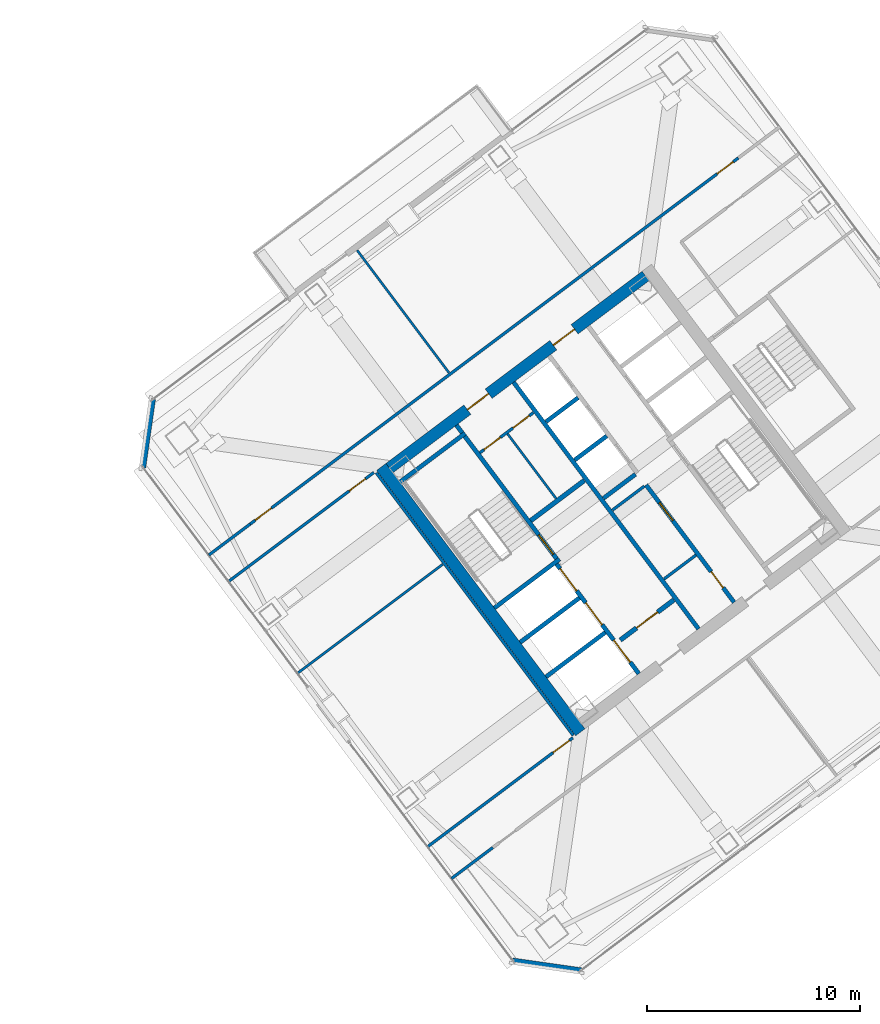
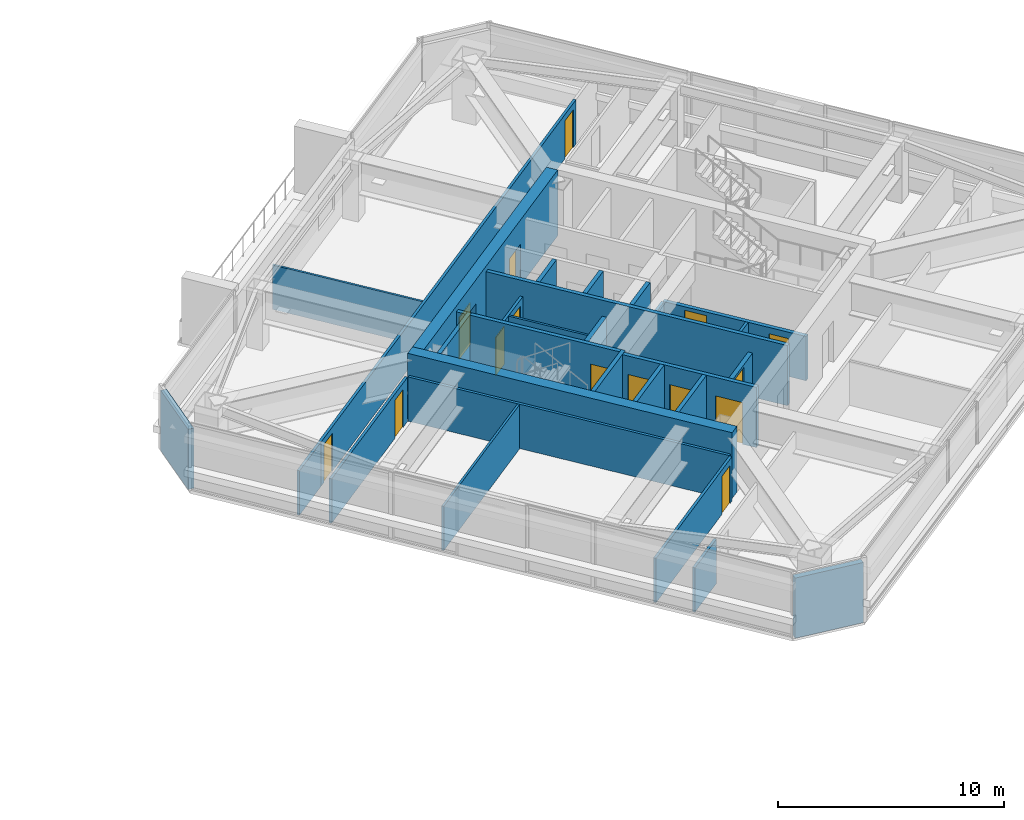
# One storey, part 34 of 42: 29 walls, 15 doors, 15 openings.
"""IFC4 building model written with IfcOpenShell, lengths in metres."""

from ifc_helpers import new_model, si_unit, direction, frame, frame_2d, origin, place, context, subcontext, project, spatial, rectangle, extrude, material, layer, layer_set, type_object, element, fill, save


model = new_model("IFC4")

# Units and contexts
model_context = context("Model", 3, precision=1e-05, world=origin(), true_north=direction((0.0, 1.0)))
body_context = subcontext(model_context, "Body", "Model", "MODEL_VIEW")
ifc_project = project(units=[si_unit("LENGTHUNIT", "METRE"), si_unit("AREAUNIT", "SQUARE_METRE"), si_unit("VOLUMEUNIT", "CUBIC_METRE"), si_unit("PLANEANGLEUNIT", "RADIAN"), si_unit("MASSUNIT", "GRAM", prefix="KILO")], contexts=[model_context])

# Site, building, storey
site_placement = place(None, origin())
site = spatial("IfcSite", under=ifc_project, at=site_placement, CompositionType="ELEMENT")
building_placement = place(site_placement, origin())
building = spatial("IfcBuilding", under=site, at=building_placement, Name="Tashvorn Skyway Center", CompositionType="ELEMENT")
storey_placement = place(building_placement, frame((0.0, 0.0, 196.050048828125)))
storey = spatial("IfcBuildingStorey", under=building, at=storey_placement, Name="L53", CompositionType="ELEMENT", Elevation=196.050048828125)

# Wall
ifc_material_1 = material(Name="Concrete C60/75", Category="concrete")
ifc_layer_1 = layer(ifc_material_1, 0.550048828125)
ifc_layer_set_1 = layer_set([ifc_layer_1], Name="Concrete C60/75")
wall_type_1 = type_object("IfcWallType", Name="WALL-CORE-550", PredefinedType="SHEAR", material=ifc_layer_set_1)
wall_1_placement = place(storey_placement, frame((112.43603515625, 21.076904296875, 0.0), z_axis=(0.0, 0.0, 1.0), x_axis=(-0.600005007985, 0.799996243986, 0.0)))
element("IfcWall", 1, at=wall_1_placement, inside=storey, type_object=wall_type_1, Name="Tower 2 L53 West Core Shear Wall", PredefinedType="SHEAR", context=body_context, shape_type="SweptSolid", body=[
    extrude(rectangle(XDim=15.60009765625, YDim=0.550048828125, at=frame_2d((7.800048828125, 0.0))), origin(), (0.0, 0.0, 1.0), 3.550048828125),
])

# Wall, openings, doors
wall_2_placement = place(storey_placement, frame((103.4609375, 33.501953125, 0.0), z_axis=(0.0, 0.0, 1.0), x_axis=(0.799998054672, 0.600002593761, 0.0)))
wall_2 = element("IfcWall", 2, at=wall_2_placement, inside=storey, type_object=wall_type_1, Name="Tower 2 L53 North Core Shear Wall", PredefinedType="SHEAR", context=body_context, shape_type="SweptSolid", body=[
    extrude(rectangle(XDim=15.06005859375, YDim=0.550048828125, at=frame_2d((7.530029296875, 0.0))), origin(), (0.0, 0.0, 1.0), 3.550048828125),
])
opening_1_placement = place(wall_2_placement, frame((4.580078125, 0.0, 0.0)))
opening_1 = element("IfcOpeningElement", 3, at=opening_1_placement, cuts=wall_2, Name="Opening D-FFL-1250", PredefinedType="OPENING", context=body_context, shape_type="SweptSolid", body=[
    extrude(rectangle(XDim=1.25, YDim=2.25, at=frame_2d((0.625, 1.125))), frame((0.0, 0.284912109375, 0.0), z_axis=(0.0, -1.0, 0.0), x_axis=(1.0, 0.0, 0.0)), (0.0, 0.0, 1.0), 0.570068359375),
])
opening_2_placement = place(wall_2_placement, frame((9.6298828125, 0.0, 0.0)))
opening_2 = element("IfcOpeningElement", 4, at=opening_2_placement, cuts=wall_2, Name="Opening D-FFL-1250", PredefinedType="OPENING", context=body_context, shape_type="SweptSolid", body=[
    extrude(rectangle(XDim=1.25, YDim=2.25, at=frame_2d((0.625, 1.125))), frame((0.0, 0.284912109375, 0.0), z_axis=(0.0, -1.0, 0.0), x_axis=(1.0, 0.0, 0.0)), (0.0, 0.0, 1.0), 0.570068359375),
])
ifc_material_2 = material(Name="Hollow galvanized steel fire door assembly", Category="steel")
door_type_1 = type_object("IfcDoorType", Name="DOOR-FFL-1250", OperationType="NOTDEFINED", PredefinedType="DOOR", material=ifc_material_2)
door_1_placement = place(opening_1_placement, origin())
door_1 = element("IfcDoor", 5, at=door_1_placement, inside=storey, type_object=door_type_1, Name="Tower 2 L53 Core North Service Lobby Door", OperationType="SINGLE_SWING_LEFT", OverallHeight=2.25, OverallWidth=1.25, PredefinedType="DOOR", context=body_context, shape_type="SweptSolid", body=[
    extrude(rectangle(XDim=1.25, YDim=2.25, at=frame_2d((0.625, 1.125))), frame((0.0, 0.02490234375, 0.0), z_axis=(0.0, -1.0, 0.0), x_axis=(1.0, 0.0, 0.0)), (0.0, 0.0, 1.0), 0.050048828125),
])
fill(opening_1, door_1)
door_2_placement = place(opening_2_placement, origin())
door_2 = element("IfcDoor", 6, at=door_2_placement, inside=storey, type_object=door_type_1, Name="Tower 2 L53 Core North Lift Lobby Door", OperationType="SINGLE_SWING_RIGHT", OverallHeight=2.25, OverallWidth=1.25, PredefinedType="DOOR", context=body_context, shape_type="SweptSolid", body=[
    extrude(rectangle(XDim=1.25, YDim=2.25, at=frame_2d((0.625, 1.125))), frame((0.0, 0.02490234375, 0.0), z_axis=(0.0, -1.0, 0.0), x_axis=(1.0, 0.0, 0.0)), (0.0, 0.0, 1.0), 0.050048828125),
])
fill(opening_2, door_2)

# Walls
ifc_material_3 = material(Name="Precast concrete C40/50", Category="concrete")
ifc_layer_2 = layer(ifc_material_3, 0.280029296875)
ifc_layer_set_2 = layer_set([ifc_layer_2], Name="Precast concrete C40/50")
wall_type_2 = type_object("IfcWallType", Name="WALL-EXT-280", PredefinedType="SOLIDWALL", material=ifc_layer_set_2)
for number, where, z_axis, x_axis, name in (
    (7, (112.47998046875, 9.860107421875, 0.0), (0.0, 0.0, 1.0), (-0.989950994782, 0.141410847992, 0.0), "Tower 2 L53 SW Precast Chamfer Wall"),
    (8, (91.860107421875, 33.52001953125, 0.0), (0.0, 0.0, 1.0), (0.141410847992, 0.989950994782, 0.0), "Tower 2 L53 NW Precast Chamfer Wall"),
):
    element("IfcWall", number, at=place(storey_placement, frame(where, z_axis=z_axis, x_axis=x_axis)), inside=storey, type_object=wall_type_2, Name=name, PredefinedType="SOLIDWALL", context=body_context, shape_type="SweptSolid", body=[
        extrude(rectangle(XDim=3.252685546875, YDim=0.280029296875, at=frame_2d((1.62646484375, 0.0))), origin(), (0.0, 0.0, 1.0), 3.25),
    ])
ifc_material_4 = material(Name="Concrete C40/50", Category="concrete")
ifc_layer_3 = layer(ifc_material_4, 0.219970703125)
ifc_layer_set_3 = layer_set([ifc_layer_3], Name="Concrete C40/50")
wall_type_3 = type_object("IfcWallType", Name="WALL-FFL-220", PredefinedType="SOLIDWALL", material=ifc_layer_set_3)
wall_3_placement = place(storey_placement, frame((110.10400390625, 31.028076171875, 0.0), z_axis=(0.0, 0.0, 1.0), x_axis=(0.800018601094, 0.59997519774, 0.0)))
element("IfcWall", 9, at=wall_3_placement, inside=storey, type_object=wall_type_3, Name="Tower 2 L53 Firefighting Lobby North Wall", PredefinedType="SOLIDWALL", context=body_context, shape_type="SweptSolid", body=[
    extrude(rectangle(XDim=3.14990234375, YDim=0.219970703125, at=frame_2d((1.574951171875, 0.0))), origin(), (0.0, 0.0, 1.0), 2.39306640625),
])

# Wall, opening, door
wall_4_placement = place(storey_placement, frame((114.31591796875, 25.412109375, 0.0), z_axis=(0.0, 0.0, 1.0), x_axis=(0.800018601094, 0.59997519774, 0.0)))
wall_4 = element("IfcWall", 10, at=wall_4_placement, inside=storey, type_object=wall_type_3, Name="Tower 2 L53 Firefighting Lobby South Wall", PredefinedType="SOLIDWALL", context=body_context, shape_type="SweptSolid", body=[
    extrude(rectangle(XDim=3.14990234375, YDim=0.219970703125, at=frame_2d((1.574951171875, 0.0))), origin(), (0.0, 0.0, 1.0), 2.39306640625),
])
opening_3_placement = place(wall_4_placement, frame((0.949951171875, 0.0, 0.0)))
opening_3 = element("IfcOpeningElement", 11, at=opening_3_placement, cuts=wall_4, Name="Opening D-FFL-1250", PredefinedType="OPENING", context=body_context, shape_type="SweptSolid", body=[
    extrude(rectangle(XDim=1.25, YDim=2.25, at=frame_2d((0.625, 1.125))), frame((0.0, 0.119873046875, 0.0), z_axis=(0.0, -1.0, 0.0), x_axis=(1.0, 0.0, 0.0)), (0.0, 0.0, 1.0), 0.239990234375),
])
door_3_placement = place(opening_3_placement, origin())
door_3 = element("IfcDoor", 12, at=door_3_placement, inside=storey, type_object=door_type_1, Name="Tower 2 L53 Firefighting Lobby Egress Door", OperationType="SINGLE_SWING_LEFT", OverallHeight=2.25, OverallWidth=1.25, PredefinedType="DOOR", context=body_context, shape_type="SweptSolid", body=[
    extrude(rectangle(XDim=1.25, YDim=2.25, at=frame_2d((0.625, 1.125))), frame((0.0, 0.02490234375, 0.0), z_axis=(0.0, -1.0, 0.0), x_axis=(1.0, 0.0, 0.0)), (0.0, 0.0, 1.0), 0.050048828125),
])
fill(opening_3, door_3)

# Walls
ifc_material_5 = material(Name="Gypsum board on cold-formed steel stud framing", Category="steel")
ifc_layer_4 = layer(ifc_material_5, 0.110107421875)
ifc_layer_set_4 = layer_set([ifc_layer_4], Name="Gypsum board on cold-formed steel stud framing")
wall_type_4 = type_object("IfcWallType", Name="WALL-PART-110", PredefinedType="PARTITIONING", material=ifc_layer_set_4)
wall_5_placement = place(storey_placement, frame((106.261962890625, 37.98388671875, 0.0), z_axis=(0.0, 0.0, 1.0), x_axis=(-0.600005425297, 0.799995930999, 0.0)))
element("IfcWall", 13, at=wall_5_placement, inside=storey, type_object=wall_type_4, Name="Tower 2 L53 North Suite Partition 1", PredefinedType="PARTITIONING", context=body_context, shape_type="SweptSolid", body=[
    extrude(rectangle(XDim=7.199951171875, YDim=0.110107421875, at=frame_2d((3.60009765625, 0.0))), origin(), (0.0, 0.0, 1.0), 2.39306640625),
])
wall_6_placement = place(storey_placement, frame((99.135986328125, 23.85205078125, 0.0), z_axis=(0.0, 0.0, 1.0), x_axis=(0.8, 0.6, 0.0)))
element("IfcWall", 14, at=wall_6_placement, inside=storey, type_object=wall_type_4, Name="Tower 2 L53 West Mid Partition", PredefinedType="PARTITIONING", context=body_context, shape_type="SweptSolid", body=[
    extrude(rectangle(XDim=8.5400390625, YDim=0.110107421875, at=frame_2d((4.27001953125, 0.0))), origin(), (0.0, 0.0, 1.0), 2.39306640625),
])

# Wall, openings, doors
ifc_layer_5 = layer(ifc_material_5, 0.135009765625)
ifc_layer_set_5 = layer_set([ifc_layer_5], Name="Gypsum board on cold-formed steel stud framing")
wall_type_5 = type_object("IfcWallType", Name="WALL-PART-135", PredefinedType="PARTITIONING", material=ifc_layer_set_5)
wall_7_placement = place(storey_placement, frame((96.909912109375, 30.8701171875, 0.0), z_axis=(0.0, 0.0, 1.0), x_axis=(0.800003062365, 0.599995916825, 0.0)))
wall_7 = element("IfcWall", 15, at=wall_7_placement, inside=storey, type_object=wall_type_5, Name="Tower 2 L53 North Suite Wall", PredefinedType="PARTITIONING", context=body_context, shape_type="SweptSolid", body=[
    extrude(rectangle(XDim=28.7001953125, YDim=0.135009765625, at=frame_2d((14.35009765625, 0.0))), origin(), (0.0, 0.0, 1.0), 2.39306640625),
])
opening_4_placement = place(wall_7_placement, frame((0.300048828125, 0.0, 0.0)))
opening_4 = element("IfcOpeningElement", 16, at=opening_4_placement, cuts=wall_7, Name="Opening D-INT-950", PredefinedType="OPENING", context=body_context, shape_type="SweptSolid", body=[
    extrude(rectangle(XDim=0.949951171875, YDim=2.050048828125, at=frame_2d((0.47509765625, 1.02490234375))), frame((0.0, 0.077392578125, 0.0), z_axis=(0.0, -1.0, 0.0), x_axis=(1.0, 0.0, 0.0)), (0.0, 0.0, 1.0), 0.155029296875),
])
opening_5_placement = place(wall_7_placement, frame((27.449951171875, 0.0, 0.0)))
opening_5 = element("IfcOpeningElement", 17, at=opening_5_placement, cuts=wall_7, Name="Opening D-INT-950", PredefinedType="OPENING", context=body_context, shape_type="SweptSolid", body=[
    extrude(rectangle(XDim=0.949951171875, YDim=2.050048828125, at=frame_2d((0.47509765625, 1.02490234375))), frame((0.0, 0.077392578125, 0.0), z_axis=(0.0, -1.0, 0.0), x_axis=(1.0, 0.0, 0.0)), (0.0, 0.0, 1.0), 0.155029296875),
])
ifc_material_6 = material(Name="Solid-core architectural oak veneer door")
door_type_2 = type_object("IfcDoorType", Name="DOOR-INT-950", OperationType="NOTDEFINED", PredefinedType="DOOR", material=ifc_material_6)
door_4_placement = place(opening_4_placement, origin())
door_4 = element("IfcDoor", 18, at=door_4_placement, inside=storey, type_object=door_type_2, Name="Tower 2 L53 Open Plan Office Door", OperationType="SINGLE_SWING_LEFT", OverallHeight=2.050048828125, OverallWidth=0.949951171875, PredefinedType="DOOR", context=body_context, shape_type="SweptSolid", body=[
    extrude(rectangle(XDim=0.949951171875, YDim=2.050048828125, at=frame_2d((0.47509765625, 1.02490234375))), frame((0.0, 0.02490234375, 0.0), z_axis=(0.0, -1.0, 0.0), x_axis=(1.0, 0.0, 0.0)), (0.0, 0.0, 1.0), 0.050048828125),
])
fill(opening_4, door_4)
door_5_placement = place(opening_5_placement, origin())
door_5 = element("IfcDoor", 19, at=door_5_placement, inside=storey, type_object=door_type_2, Name="Tower 2 L53 Open Plan Office Door", OperationType="SINGLE_SWING_RIGHT", OverallHeight=2.050048828125, OverallWidth=0.949951171875, PredefinedType="DOOR", context=body_context, shape_type="SweptSolid", body=[
    extrude(rectangle(XDim=0.949951171875, YDim=2.050048828125, at=frame_2d((0.47509765625, 1.02490234375))), frame((0.0, 0.02490234375, 0.0), z_axis=(0.0, -1.0, 0.0), x_axis=(1.0, 0.0, 0.0)), (0.0, 0.0, 1.0), 0.050048828125),
])
fill(opening_5, door_5)

# Walls
wall_8_placement = place(storey_placement, frame((94.966064453125, 29.412109375, 0.0), z_axis=(0.0, 0.0, 1.0), x_axis=(0.799975885537, 0.600032151272, 0.0)))
element("IfcWall", 20, at=wall_8_placement, inside=storey, type_object=wall_type_5, Name="Tower 2 L53 North-West Suite South Wall", PredefinedType="PARTITIONING", context=body_context, shape_type="SweptSolid", body=[
    extrude(rectangle(XDim=2.429931640625, YDim=0.135009765625, at=frame_2d((1.21484375, 0.0))), origin(), (0.0, 0.0, 1.0), 2.39306640625),
])
wall_9_placement = place(storey_placement, frame((106.3779296875, 14.196044921875, 0.0), z_axis=(0.0, 0.0, 1.0), x_axis=(0.800012055778, 0.599983925293, 0.0)))
element("IfcWall", 21, at=wall_9_placement, inside=storey, type_object=wall_type_5, Name="Tower 2 L53 South-West Suite North Wall", PredefinedType="PARTITIONING", context=body_context, shape_type="SweptSolid", body=[
    extrude(rectangle(XDim=2.43017578125, YDim=0.135009765625, at=frame_2d((1.215087890625, 0.0))), origin(), (0.0, 0.0, 1.0), 2.39306640625),
])
wall_10_placement = place(storey_placement, frame((112.10400390625, 20.927978515625, 0.0), z_axis=(0.0, 0.0, 1.0), x_axis=(-0.599994940075, 0.800003794918, 0.0)))
element("IfcWall", 22, at=wall_10_placement, inside=storey, type_object=wall_type_5, Name="Tower 2 L53 West Inner Suite Wall", PredefinedType="PARTITIONING", context=body_context, shape_type="SweptSolid", body=[
    extrude(rectangle(XDim=15.43994140625, YDim=0.135009765625, at=frame_2d((7.719970703125, 0.0))), origin(), (0.0, 0.0, 1.0), 2.39306640625),
])

# Wall, opening, door
wall_11_placement = place(storey_placement, frame((102.72802734375, 33.2958984375, 0.0), z_axis=(0.0, 0.0, 1.0), x_axis=(-0.800013722153, -0.59998170336, 0.0)))
wall_11 = element("IfcWall", 23, at=wall_11_placement, inside=storey, type_object=wall_type_5, Name="Tower 2 L53 West Suite North Wall", PredefinedType="PARTITIONING", context=body_context, shape_type="SweptSolid", body=[
    extrude(rectangle(XDim=8.539794921875, YDim=0.135009765625, at=frame_2d((4.27001953125, 0.0))), origin(), (0.0, 0.0, 1.0), 2.39306640625),
])
opening_6_placement = place(wall_11_placement, frame((0.5, 0.0, 0.0)))
opening_6 = element("IfcOpeningElement", 24, at=opening_6_placement, cuts=wall_11, Name="Opening D-INT-950", PredefinedType="OPENING", context=body_context, shape_type="SweptSolid", body=[
    extrude(rectangle(XDim=0.949951171875, YDim=2.050048828125, at=frame_2d((0.47509765625, 1.02490234375))), frame((0.0, 0.077392578125, 0.0), z_axis=(0.0, -1.0, 0.0), x_axis=(1.0, 0.0, 0.0)), (0.0, 0.0, 1.0), 0.155029296875),
])
door_6_placement = place(opening_6_placement, origin())
door_6 = element("IfcDoor", 25, at=door_6_placement, inside=storey, type_object=door_type_2, Name="Tower 2 L53 Staff Fitness Club Door", OperationType="SINGLE_SWING_LEFT", OverallHeight=2.050048828125, OverallWidth=0.949951171875, PredefinedType="DOOR", context=body_context, shape_type="SweptSolid", body=[
    extrude(rectangle(XDim=0.949951171875, YDim=2.050048828125, at=frame_2d((0.47509765625, 1.02490234375))), frame((0.0, 0.02490234375, 0.0), z_axis=(0.0, -1.0, 0.0), x_axis=(1.0, 0.0, 0.0)), (0.0, 0.0, 1.0), 0.050048828125),
])
fill(opening_6, door_6)

wall_12_placement = place(storey_placement, frame((105.256103515625, 15.69189453125, 0.0), z_axis=(0.0, 0.0, 1.0), x_axis=(0.799989708052, 0.600013722352, 0.0)))
wall_12 = element("IfcWall", 26, at=wall_12_placement, inside=storey, type_object=wall_type_5, Name="Tower 2 L53 West Suite South Wall", PredefinedType="PARTITIONING", context=body_context, shape_type="SweptSolid", body=[
    extrude(rectangle(XDim=8.539794921875, YDim=0.135009765625, at=frame_2d((4.27001953125, 0.0))), origin(), (0.0, 0.0, 1.0), 2.39306640625),
])
opening_7_placement = place(wall_12_placement, frame((7.3798828125, 0.0, 0.0)))
opening_7 = element("IfcOpeningElement", 27, at=opening_7_placement, cuts=wall_12, Name="Opening D-INT-950", PredefinedType="OPENING", context=body_context, shape_type="SweptSolid", body=[
    extrude(rectangle(XDim=0.949951171875, YDim=2.050048828125, at=frame_2d((0.47509765625, 1.02490234375))), frame((0.0, 0.077392578125, 0.0), z_axis=(0.0, -1.0, 0.0), x_axis=(1.0, 0.0, 0.0)), (0.0, 0.0, 1.0), 0.155029296875),
])
door_7_placement = place(opening_7_placement, origin())
door_7 = element("IfcDoor", 28, at=door_7_placement, inside=storey, type_object=door_type_2, Name="Tower 2 L53 Public Restroom Door", OperationType="SINGLE_SWING_RIGHT", OverallHeight=2.050048828125, OverallWidth=0.949951171875, PredefinedType="DOOR", context=body_context, shape_type="SweptSolid", body=[
    extrude(rectangle(XDim=0.949951171875, YDim=2.050048828125, at=frame_2d((0.47509765625, 1.02490234375))), frame((0.0, 0.02490234375, 0.0), z_axis=(0.0, -1.0, 0.0), x_axis=(1.0, 0.0, 0.0)), (0.0, 0.0, 1.0), 0.050048828125),
])
fill(opening_7, door_7)

# Wall
ifc_layer_6 = layer(ifc_material_5, 0.110107421875)
ifc_layer_set_6 = layer_set([ifc_layer_6], Name="Gypsum board on cold-formed steel stud framing")
wall_type_6 = type_object("IfcWallType", Name="WALL-RATED-110", PredefinedType="PARTITIONING", material=ifc_layer_set_6)
wall_13_placement = place(storey_placement, frame((111.2958984375, 32.072021484375, 0.0), z_axis=(0.0, 0.0, 1.0), x_axis=(-0.59995887973, 0.800030838552, 0.0)))
element("IfcWall", 29, at=wall_13_placement, inside=storey, type_object=wall_type_6, Name="Tower 2 L53 Core Split Partition", PredefinedType="PARTITIONING", context=body_context, shape_type="SweptSolid", body=[
    extrude(rectangle(XDim=3.7998046875, YDim=0.110107421875, at=frame_2d((1.89990234375, 0.0))), origin(), (0.0, 0.0, 1.0), 2.39306640625),
])

# Wall, openings, doors
ifc_layer_7 = layer(ifc_material_5, 0.135009765625)
ifc_layer_set_7 = layer_set([ifc_layer_7], Name="Gypsum board on cold-formed steel stud framing")
wall_type_7 = type_object("IfcWallType", Name="WALL-RATED-135", PredefinedType="PARTITIONING", material=ifc_layer_set_7)
wall_14_placement = place(storey_placement, frame((107.7099609375, 34.219970703125, 0.0), z_axis=(0.0, 0.0, 1.0), x_axis=(0.799981399002, 0.60002480053, 0.0)))
wall_14 = element("IfcWall", 30, at=wall_14_placement, inside=storey, type_object=wall_type_7, Name="Tower 2 L53 Core Service Lobby Wall", PredefinedType="PARTITIONING", context=body_context, shape_type="SweptSolid", body=[
    extrude(rectangle(XDim=3.150146484375, YDim=0.135009765625, at=frame_2d((1.5751953125, 0.0))), origin(), (0.0, 0.0, 1.0), 2.39306640625),
])
opening_8_placement = place(wall_14_placement, frame((0.25, 0.0, 0.0)))
opening_8 = element("IfcOpeningElement", 31, at=opening_8_placement, cuts=wall_14, Name="Opening D-RT-950", PredefinedType="OPENING", context=body_context, shape_type="SweptSolid", body=[
    extrude(rectangle(XDim=0.949951171875, YDim=2.050048828125, at=frame_2d((0.47509765625, 1.02490234375))), frame((0.0, 0.077392578125, 0.0), z_axis=(0.0, -1.0, 0.0), x_axis=(1.0, 0.0, 0.0)), (0.0, 0.0, 1.0), 0.155029296875),
])
opening_9_placement = place(wall_14_placement, frame((1.949951171875, 0.0, 0.0)))
opening_9 = element("IfcOpeningElement", 32, at=opening_9_placement, cuts=wall_14, Name="Opening D-RT-950", PredefinedType="OPENING", context=body_context, shape_type="SweptSolid", body=[
    extrude(rectangle(XDim=0.949951171875, YDim=2.050048828125, at=frame_2d((0.47509765625, 1.02490234375))), frame((0.0, 0.077392578125, 0.0), z_axis=(0.0, -1.0, 0.0), x_axis=(1.0, 0.0, 0.0)), (0.0, 0.0, 1.0), 0.155029296875),
])
door_type_3 = type_object("IfcDoorType", Name="DOOR-RATED-950", OperationType="NOTDEFINED", PredefinedType="DOOR", material=ifc_material_2)
door_8_placement = place(opening_8_placement, origin())
door_8 = element("IfcDoor", 33, at=door_8_placement, inside=storey, type_object=door_type_3, Name="Tower 2 L53 Core Accessible WC Door", OperationType="SINGLE_SWING_LEFT", OverallHeight=2.050048828125, OverallWidth=0.949951171875, PredefinedType="DOOR", context=body_context, shape_type="SweptSolid", body=[
    extrude(rectangle(XDim=0.949951171875, YDim=2.050048828125, at=frame_2d((0.47509765625, 1.02490234375))), frame((0.0, 0.02490234375, 0.0), z_axis=(0.0, -1.0, 0.0), x_axis=(1.0, 0.0, 0.0)), (0.0, 0.0, 1.0), 0.050048828125),
])
fill(opening_8, door_8)
door_9_placement = place(opening_9_placement, origin())
door_9 = element("IfcDoor", 34, at=door_9_placement, inside=storey, type_object=door_type_3, Name="Tower 2 L53 Core Cleaner Store Door", OperationType="SINGLE_SWING_RIGHT", OverallHeight=2.050048828125, OverallWidth=0.949951171875, PredefinedType="DOOR", context=body_context, shape_type="SweptSolid", body=[
    extrude(rectangle(XDim=0.949951171875, YDim=2.050048828125, at=frame_2d((0.47509765625, 1.02490234375))), frame((0.0, 0.02490234375, 0.0), z_axis=(0.0, -1.0, 0.0), x_axis=(1.0, 0.0, 0.0)), (0.0, 0.0, 1.0), 0.050048828125),
])
fill(opening_9, door_9)

# Walls
for number, where, z_axis, x_axis, name in (
    (35, (113.946044921875, 31.52197265625, 0.0), (0.0, 0.0, 1.0), (0.8, 0.6, 0.0), "Tower 2 L53 Core Room Partition"),
    (36, (116.3759765625, 28.281982421875, 0.0), (0.0, 0.0, 1.0), (0.8, 0.6, 0.0), "Tower 2 L53 Freed Core Partition"),
):
    element("IfcWall", number, at=place(storey_placement, frame(where, z_axis=z_axis, x_axis=x_axis)), inside=storey, type_object=wall_type_7, Name=name, PredefinedType="PARTITIONING", context=body_context, shape_type="SweptSolid", body=[
        extrude(rectangle(XDim=1.8798828125, YDim=0.135009765625, at=frame_2d((0.93994140625, 0.0))), origin(), (0.0, 0.0, 1.0), 2.39306640625),
    ])
ifc_layer_8 = layer(ifc_material_4, 0.199951171875)
ifc_layer_set_8 = layer_set([ifc_layer_8], Name="Concrete C40/50")
wall_type_8 = type_object("IfcWallType", Name="WALL-SHAFT-200", PredefinedType="SOLIDWALL", material=ifc_layer_set_8)
for number, where, z_axis, x_axis, name in (
    (37, (110.825927734375, 23.681884765625, 0.0), (0.0, 0.0, 1.0), (0.8, 0.6, 0.0), "Tower 2 L53 FSAE Shaft Divider"),
    (38, (109.60791015625, 25.305908203125, 0.0), (0.0, 0.0, 1.0), (0.8, 0.6, 0.0), "Tower 2 L53 FSAE Shaft Divider"),
):
    element("IfcWall", number, at=place(storey_placement, frame(where, z_axis=z_axis, x_axis=x_axis)), inside=storey, type_object=wall_type_8, Name=name, PredefinedType="SOLIDWALL", context=body_context, shape_type="SweptSolid", body=[
        extrude(rectangle(XDim=3.480224609375, YDim=0.199951171875, at=frame_2d((1.740234375, 0.0))), origin(), (0.0, 0.0, 1.0), 3.25),
    ])

# Wall, openings, doors
wall_15_placement = place(storey_placement, frame((119.669921875, 27.18994140625, 0.0), z_axis=(0.0, 0.0, 1.0), x_axis=(-0.599988677396, 0.800008491828, 0.0)))
wall_15 = element("IfcWall", 39, at=wall_15_placement, inside=storey, type_object=wall_type_8, Name="Tower 2 L53 Low-Rise Core Wall", PredefinedType="SOLIDWALL", context=body_context, shape_type="SweptSolid", body=[
    extrude(rectangle(XDim=6.89990234375, YDim=0.199951171875, at=frame_2d((3.449951171875, 0.0))), origin(), (0.0, 0.0, 1.0), 2.39306640625),
])
opening_10_placement = place(wall_15_placement, frame((0.85009765625, 0.0, 0.0)))
opening_10 = element("IfcOpeningElement", 40, at=opening_10_placement, cuts=wall_15, Name="Opening D-RT-950", PredefinedType="OPENING", context=body_context, shape_type="SweptSolid", body=[
    extrude(rectangle(XDim=0.949951171875, YDim=2.050048828125, at=frame_2d((0.47509765625, 1.02490234375))), frame((0.0, 0.10986328125, 0.0), z_axis=(0.0, -1.0, 0.0), x_axis=(1.0, 0.0, 0.0)), (0.0, 0.0, 1.0), 0.219970703125),
])
opening_11_placement = place(wall_15_placement, frame((4.800048828125, 0.0, 0.0)))
opening_11 = element("IfcOpeningElement", 41, at=opening_11_placement, cuts=wall_15, Name="Opening D-RT-1050", PredefinedType="OPENING", context=body_context, shape_type="SweptSolid", body=[
    extrude(rectangle(XDim=1.050048828125, YDim=2.199951171875, at=frame_2d((0.52490234375, 1.10009765625))), frame((0.0, 0.10986328125, 0.0), z_axis=(0.0, -1.0, 0.0), x_axis=(1.0, 0.0, 0.0)), (0.0, 0.0, 1.0), 0.219970703125),
])
door_type_4 = type_object("IfcDoorType", Name="DOOR-RATED-1050", OperationType="NOTDEFINED", PredefinedType="DOOR", material=ifc_material_2)
door_10_placement = place(opening_11_placement, origin())
door_10 = element("IfcDoor", 42, at=door_10_placement, inside=storey, type_object=door_type_4, Name="Tower 2 L53 Freed Core Room Door", OperationType="SINGLE_SWING_RIGHT", OverallHeight=2.199951171875, OverallWidth=1.050048828125, PredefinedType="DOOR", context=body_context, shape_type="SweptSolid", body=[
    extrude(rectangle(XDim=1.050048828125, YDim=2.199951171875, at=frame_2d((0.52490234375, 1.10009765625))), frame((0.0, 0.02490234375, 0.0), z_axis=(0.0, -1.0, 0.0), x_axis=(1.0, 0.0, 0.0)), (0.0, 0.0, 1.0), 0.050048828125),
])
fill(opening_11, door_10)
door_11_placement = place(opening_10_placement, origin())
door_11 = element("IfcDoor", 43, at=door_11_placement, inside=storey, type_object=door_type_3, Name="Tower 2 L53 Core Print Room Door", OperationType="SINGLE_SWING_LEFT", OverallHeight=2.050048828125, OverallWidth=0.949951171875, PredefinedType="DOOR", context=body_context, shape_type="SweptSolid", body=[
    extrude(rectangle(XDim=0.949951171875, YDim=2.050048828125, at=frame_2d((0.47509765625, 1.02490234375))), frame((0.0, 0.02490234375, 0.0), z_axis=(0.0, -1.0, 0.0), x_axis=(1.0, 0.0, 0.0)), (0.0, 0.0, 1.0), 0.050048828125),
])
fill(opening_10, door_11)

# Walls
wall_16_placement = place(storey_placement, frame((113.52587890625, 32.08203125, 0.0), z_axis=(0.0, 0.0, 1.0), x_axis=(0.800046745961, 0.599937666993, 0.0)))
element("IfcWall", 44, at=wall_16_placement, inside=storey, type_object=wall_type_8, Name="Tower 2 L53 Mid-Rise Shaft Divider", PredefinedType="SOLIDWALL", context=body_context, shape_type="SweptSolid", body=[
    extrude(rectangle(XDim=1.880126953125, YDim=0.199951171875, at=frame_2d((0.93994140625, 0.0))), origin(), (0.0, 0.0, 1.0), 3.25),
])
wall_17_placement = place(storey_placement, frame((112.176025390625, 33.882080078125, 0.0), z_axis=(0.0, 0.0, 1.0), x_axis=(0.8, 0.6, 0.0)))
element("IfcWall", 45, at=wall_17_placement, inside=storey, type_object=wall_type_8, Name="Tower 2 L53 Mid-Rise Shaft Divider", PredefinedType="SOLIDWALL", context=body_context, shape_type="SweptSolid", body=[
    extrude(rectangle(XDim=1.8798828125, YDim=0.199951171875, at=frame_2d((0.93994140625, 0.0))), origin(), (0.0, 0.0, 1.0), 3.25),
])
wall_18_placement = place(storey_placement, frame((110.825927734375, 35.681884765625, 0.0), z_axis=(0.0, 0.0, 1.0), x_axis=(0.799984418148, 0.600020775241, 0.0)))
element("IfcWall", 46, at=wall_18_placement, inside=storey, type_object=wall_type_8, Name="Tower 2 L53 Mid-Rise Shaft Divider", PredefinedType="SOLIDWALL", context=body_context, shape_type="SweptSolid", body=[
    extrude(rectangle(XDim=1.880126953125, YDim=0.199951171875, at=frame_2d((0.93994140625, 0.0))), origin(), (0.0, 0.0, 1.0), 3.25),
])

# Wall, opening, door
ifc_layer_9 = layer(ifc_material_4, 0.199951171875)
ifc_layer_set_9 = layer_set([ifc_layer_9], Name="Concrete C40/50")
wall_type_9 = type_object("IfcWallType", Name="WALL-STSHF-200", PredefinedType="SHEAR", material=ifc_layer_set_9)
wall_19_placement = place(storey_placement, frame((111.43994140625, 29.080078125, 0.0), z_axis=(0.0, 0.0, 1.0), x_axis=(-0.59999029481, 0.8000072788, 0.0)))
wall_19 = element("IfcWall", 47, at=wall_19_placement, inside=storey, type_object=wall_type_9, Name="Tower 2 L53 Stair 1 Enclosure Wall", PredefinedType="SHEAR", context=body_context, shape_type="SweptSolid", body=[
    extrude(rectangle(XDim=8.0498046875, YDim=0.199951171875, at=frame_2d((4.02490234375, 0.0))), origin(), (0.0, 0.0, 1.0), 3.25),
])
opening_12_placement = place(wall_19_placement, frame((0.449951171875, 0.0, 0.0)))
opening_12 = element("IfcOpeningElement", 48, at=opening_12_placement, cuts=wall_19, Name="Opening D-ST-1150", PredefinedType="OPENING", context=body_context, shape_type="SweptSolid", body=[
    extrude(rectangle(XDim=1.14990234375, YDim=2.199951171875, at=frame_2d((0.574951171875, 1.10009765625))), frame((0.0, 0.10986328125, 0.0), z_axis=(0.0, -1.0, 0.0), x_axis=(1.0, 0.0, 0.0)), (0.0, 0.0, 1.0), 0.219970703125),
])
door_type_5 = type_object("IfcDoorType", Name="DOOR-STAIR-1150", OperationType="NOTDEFINED", PredefinedType="DOOR", material=ifc_material_2)
door_12_placement = place(opening_12_placement, origin())
door_12 = element("IfcDoor", 49, at=door_12_placement, inside=storey, type_object=door_type_5, Name="Tower 2 L53 Exit Stair 1 Door", OperationType="SINGLE_SWING_RIGHT", OverallHeight=2.199951171875, OverallWidth=1.14990234375, PredefinedType="DOOR", context=body_context, shape_type="SweptSolid", body=[
    extrude(rectangle(XDim=1.14990234375, YDim=2.199951171875, at=frame_2d((0.574951171875, 1.10009765625))), frame((0.0, 0.02490234375, 0.0), z_axis=(0.0, -1.0, 0.0), x_axis=(1.0, 0.0, 0.0)), (0.0, 0.0, 1.0), 0.050048828125),
])
fill(opening_12, door_12)

# Walls
for number, where, z_axis, x_axis, name in (
    (50, (108.39599609375, 26.922119140625, 0.0), (0.0, 0.0, 1.0), (0.800015298837, 0.599979601008, 0.0), "Tower 2 L53 Stair 1 South Wall"),
    (51, (103.9560546875, 32.842041015625, 0.0), (0.0, 0.0, 1.0), (0.800015298837, 0.599979601008, 0.0), "Tower 2 L53 Stair 1 North Wall"),
):
    element("IfcWall", number, at=place(storey_placement, frame(where, z_axis=z_axis, x_axis=x_axis)), inside=storey, type_object=wall_type_9, Name=name, PredefinedType="SHEAR", context=body_context, shape_type="SweptSolid", body=[
        extrude(rectangle(XDim=3.829833984375, YDim=0.199951171875, at=frame_2d((1.9150390625, 0.0))), origin(), (0.0, 0.0, 1.0), 3.25),
    ])
wall_20_placement = place(storey_placement, frame((117.998046875, 25.93603515625, 0.0), z_axis=(0.0, 0.0, 1.0), x_axis=(-0.600002693989, 0.799997979501, 0.0)))
element("IfcWall", 52, at=wall_20_placement, inside=storey, type_object=wall_type_9, Name="Tower 2 L53 Firefighting Lobby East Smoke Barrier", PredefinedType="SHEAR", context=body_context, shape_type="SweptSolid", body=[
    extrude(rectangle(XDim=14.499755859375, YDim=0.199951171875, at=frame_2d((7.25, 0.0))), origin(), (0.0, 0.0, 1.0), 3.25),
])

# Wall, openings, doors
wall_21_placement = place(storey_placement, frame((115.18994140625, 23.830078125, 0.0), z_axis=(0.0, 0.0, 1.0), x_axis=(-0.599993943644, 0.800004542231, 0.0)))
wall_21 = element("IfcWall", 53, at=wall_21_placement, inside=storey, type_object=wall_type_9, Name="Tower 2 L53 FSAE and Goods Shaft Front Wall", PredefinedType="SHEAR", context=body_context, shape_type="SweptSolid", body=[
    extrude(rectangle(XDim=6.449951171875, YDim=0.199951171875, at=frame_2d((3.22509765625, 0.0))), origin(), (0.0, 0.0, 1.0), 3.25),
])
opening_13_placement = place(wall_21_placement, frame((4.875, 0.0, 0.0)))
opening_13 = element("IfcOpeningElement", 54, at=opening_13_placement, cuts=wall_21, Name="Opening LD-FF-T2-1-L53", PredefinedType="OPENING", context=body_context, shape_type="SweptSolid", body=[
    extrude(rectangle(XDim=1.300048828125, YDim=2.25, at=frame_2d((0.64990234375, 1.125))), frame((0.0, 0.10986328125, 0.0), z_axis=(0.0, -1.0, 0.0), x_axis=(1.0, 0.0, 0.0)), (0.0, 0.0, 1.0), 0.219970703125),
])
opening_14_placement = place(wall_21_placement, frame((2.875, 0.0, 0.0)))
opening_14 = element("IfcOpeningElement", 55, at=opening_14_placement, cuts=wall_21, Name="Opening LD-FF-T2-2-L53", PredefinedType="OPENING", context=body_context, shape_type="SweptSolid", body=[
    extrude(rectangle(XDim=1.300048828125, YDim=2.25, at=frame_2d((0.64990234375, 1.125))), frame((0.0, 0.10986328125, 0.0), z_axis=(0.0, -1.0, 0.0), x_axis=(1.0, 0.0, 0.0)), (0.0, 0.0, 1.0), 0.219970703125),
])
opening_15_placement = place(wall_21_placement, frame((0.675048828125, 0.0, 0.0)))
opening_15 = element("IfcOpeningElement", 56, at=opening_15_placement, cuts=wall_21, Name="Opening LD-GD-T2-1-L53", PredefinedType="OPENING", context=body_context, shape_type="SweptSolid", body=[
    extrude(rectangle(XDim=1.300048828125, YDim=2.25, at=frame_2d((0.64990234375, 1.125))), frame((0.0, 0.10986328125, 0.0), z_axis=(0.0, -1.0, 0.0), x_axis=(1.0, 0.0, 0.0)), (0.0, 0.0, 1.0), 0.219970703125),
])
ifc_material_7 = material(Name="Stainless steel heavy-duty landing door", Category="steel")
door_type_6 = type_object("IfcDoorType", Name="DOOR-LIFT-1300", OperationType="SLIDING_TO_LEFT", PredefinedType="DOOR", material=ifc_material_7)
door_13_placement = place(opening_13_placement, origin())
door_13 = element("IfcDoor", 57, at=door_13_placement, inside=storey, type_object=door_type_6, Name="Lift FF-T2-1 L53 Landing Door", OperationType="SLIDING_TO_LEFT", OverallHeight=2.25, OverallWidth=1.300048828125, PredefinedType="DOOR", context=body_context, shape_type="SweptSolid", body=[
    extrude(rectangle(XDim=1.300048828125, YDim=2.25, at=frame_2d((0.64990234375, 1.125))), frame((0.0, 0.02490234375, 0.0), z_axis=(0.0, -1.0, 0.0), x_axis=(1.0, 0.0, 0.0)), (0.0, 0.0, 1.0), 0.050048828125),
])
fill(opening_13, door_13)
door_14_placement = place(opening_14_placement, origin())
door_14 = element("IfcDoor", 58, at=door_14_placement, inside=storey, type_object=door_type_6, Name="Lift FF-T2-2 L53 Landing Door", OperationType="SLIDING_TO_LEFT", OverallHeight=2.25, OverallWidth=1.300048828125, PredefinedType="DOOR", context=body_context, shape_type="SweptSolid", body=[
    extrude(rectangle(XDim=1.300048828125, YDim=2.25, at=frame_2d((0.64990234375, 1.125))), frame((0.0, 0.02490234375, 0.0), z_axis=(0.0, -1.0, 0.0), x_axis=(1.0, 0.0, 0.0)), (0.0, 0.0, 1.0), 0.050048828125),
])
fill(opening_14, door_14)
door_15_placement = place(opening_15_placement, origin())
door_15 = element("IfcDoor", 59, at=door_15_placement, inside=storey, type_object=door_type_6, Name="Lift GD-T2-1 L53 Landing Door", OperationType="SLIDING_TO_LEFT", OverallHeight=2.25, OverallWidth=1.300048828125, PredefinedType="DOOR", context=body_context, shape_type="SweptSolid", body=[
    extrude(rectangle(XDim=1.300048828125, YDim=2.25, at=frame_2d((0.64990234375, 1.125))), frame((0.0, 0.02490234375, 0.0), z_axis=(0.0, -1.0, 0.0), x_axis=(1.0, 0.0, 0.0)), (0.0, 0.0, 1.0), 0.050048828125),
])
fill(opening_15, door_15)

save(model, "model.ifc")
